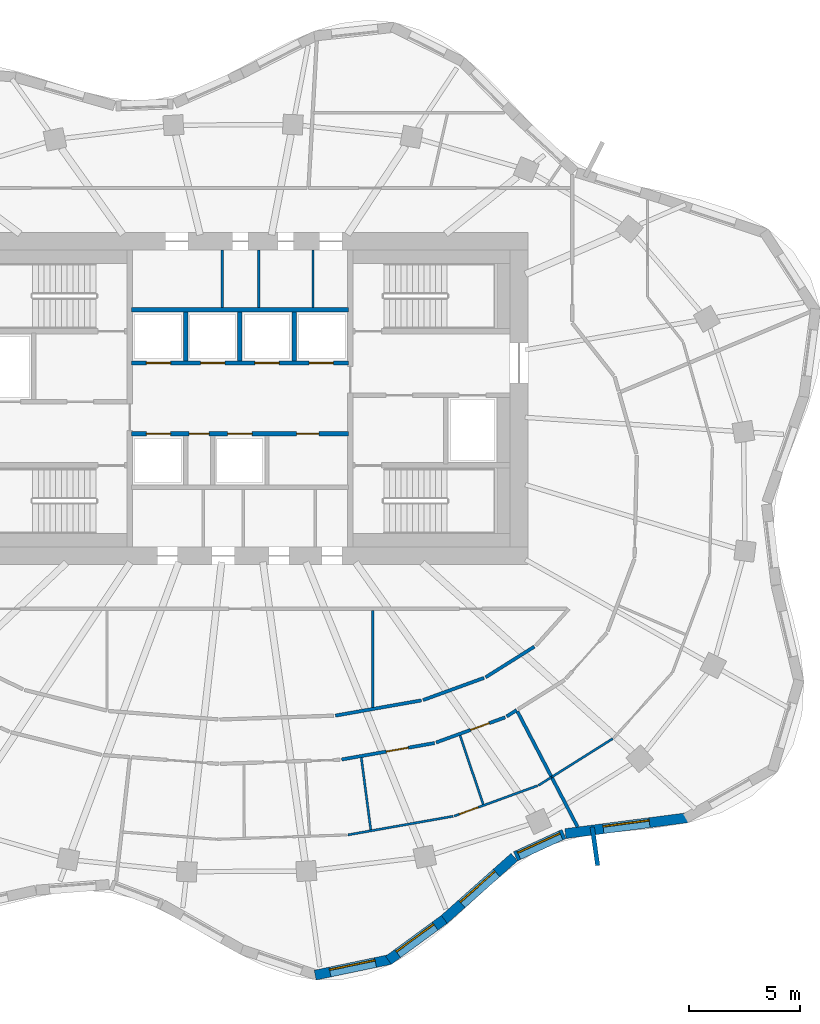
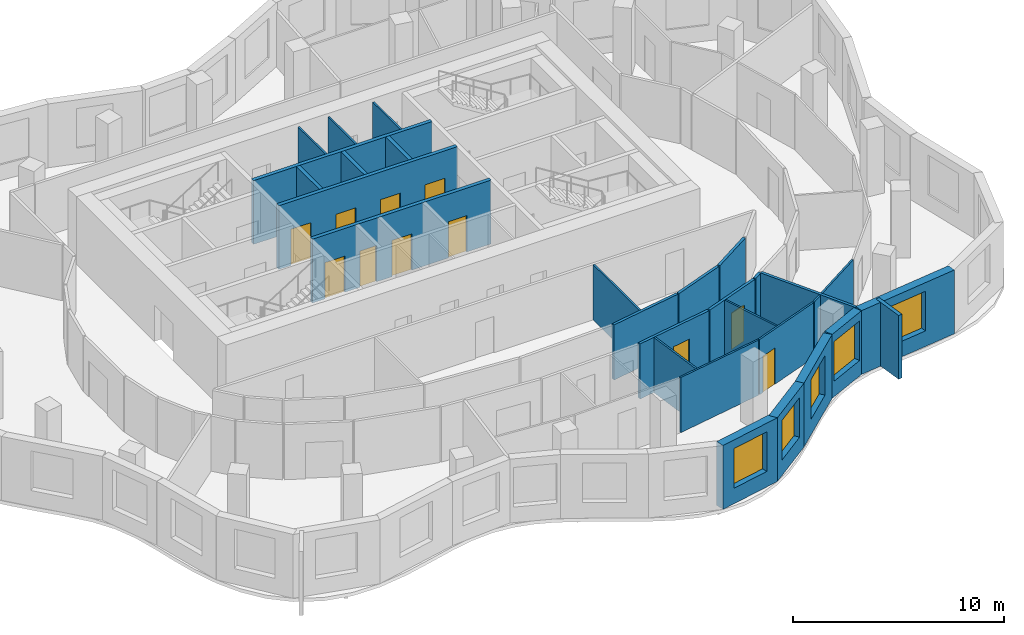
# One storey, part 5 of 9: 29 walls, 11 doors, 5 windows, 16 openings.
"""IFC4 building model written with IfcOpenShell, lengths in metres."""

from ifc_helpers import new_model, si_unit, direction, frame, frame_2d, origin, place, context, subcontext, project, spatial, rectangle, extrude, material, layer, layer_set, type_object, element, fill, save


model = new_model("IFC4")

# Units and contexts
model_context = context("Model", 3, precision=1e-05, world=origin(), true_north=direction((0.0, 1.0)))
body_context = subcontext(model_context, "Body", "Model", "MODEL_VIEW")
ifc_project = project(units=[si_unit("LENGTHUNIT", "METRE"), si_unit("AREAUNIT", "SQUARE_METRE"), si_unit("VOLUMEUNIT", "CUBIC_METRE"), si_unit("PLANEANGLEUNIT", "RADIAN"), si_unit("MASSUNIT", "GRAM", prefix="KILO")], contexts=[model_context])

# Site, building, storey
site_placement = place(None, origin())
site = spatial("IfcSite", under=ifc_project, at=site_placement, CompositionType="ELEMENT")
building_placement = place(site_placement, origin())
building = spatial("IfcBuilding", under=site, at=building_placement, Name="Rubra Terraces Tower", CompositionType="ELEMENT")
storey_placement = place(building_placement, frame((0.0, 0.0, 288.300048828125)))
storey = spatial("IfcBuildingStorey", under=building, at=storey_placement, Name="L71", CompositionType="ELEMENT", Elevation=288.300048828125)

# Wall, opening, window
ifc_material_1 = material(Name="Brick masonry red-brown", Category="masonry")
ifc_layer_1 = layer(ifc_material_1, 0.449951171875)
ifc_layer_set_1 = layer_set([ifc_layer_1], Name="Brick masonry red-brown")
wall_type_1 = type_object("IfcWallType", Name="Brick facade wall 450", PredefinedType="SOLIDWALL", material=ifc_layer_set_1)
wall_1_placement = place(storey_placement, frame((3.39892578125, -21.53173828125, 0.0), z_axis=(0.0, 0.0, 1.0), x_axis=(0.978915912181, 0.204263645512, 0.0)))
wall_1 = element("IfcWall", 1, at=wall_1_placement, inside=storey, type_object=wall_type_1, Name="Facade wall L71 bay 32", PredefinedType="SOLIDWALL", context=body_context, shape_type="SweptSolid", body=[
    extrude(rectangle(XDim=3.466064453125, YDim=0.449951171875, at=frame_2d((1.73291015625, 0.0))), origin(), (0.0, 0.0, 1.0), 3.699951171875),
])
opening_1_placement = place(wall_1_placement, frame((0.68310546875, 0.0, 0.89990234375)))
opening_1 = element("IfcOpeningElement", 2, at=opening_1_placement, cuts=wall_1, Name="Opening W1B", PredefinedType="OPENING", context=body_context, shape_type="SweptSolid", body=[
    extrude(rectangle(XDim=2.10009765625, YDim=2.300048828125, at=frame_2d((1.050048828125, 1.14990234375))), frame((0.0, 0.23486328125, 0.0), z_axis=(0.0, -1.0, 0.0), x_axis=(1.0, 0.0, 0.0)), (0.0, 0.0, 1.0), 0.469970703125),
])
ifc_material_2 = material(Name="Clear glass in aluminium frame", Category="aluminium")
window_type = type_object("IfcWindowType", Name="Fixed deep-set window tall storey 2100 x 2300", PartitioningType="SINGLE_PANEL", PredefinedType="WINDOW", material=ifc_material_2)
window_1_placement = place(opening_1_placement, origin())
window_1 = element("IfcWindow", 3, at=window_1_placement, inside=storey, type_object=window_type, Name="Window L71 bay 32", OverallHeight=2.300048828125, OverallWidth=2.10009765625, PartitioningType="SINGLE_PANEL", PredefinedType="WINDOW", context=body_context, shape_type="SweptSolid", body=[
    extrude(rectangle(XDim=2.10009765625, YDim=2.300048828125, at=frame_2d((1.050048828125, 1.14990234375))), frame((0.0, 0.135009765625, 0.0), z_axis=(0.0, -1.0, 0.0), x_axis=(1.0, 0.0, 0.0)), (0.0, 0.0, 1.0), 0.06005859375),
])
fill(opening_1, window_1)

wall_2_placement = place(storey_placement, frame((6.705078125, -20.8623046875, 0.0), z_axis=(0.0, 0.0, 1.0), x_axis=(0.806921336267, 0.590658917716, 0.0)))
wall_2 = element("IfcWall", 4, at=wall_2_placement, inside=storey, type_object=wall_type_1, Name="Facade wall L71 bay 33", PredefinedType="SOLIDWALL", context=body_context, shape_type="SweptSolid", body=[
    extrude(rectangle(XDim=3.124755859375, YDim=0.449951171875, at=frame_2d((1.5625, 0.0))), origin(), (0.0, 0.0, 1.0), 3.699951171875),
])
opening_2_placement = place(wall_2_placement, frame((0.512451171875, 0.0, 0.89990234375)))
opening_2 = element("IfcOpeningElement", 5, at=opening_2_placement, cuts=wall_2, Name="Opening W1B", PredefinedType="OPENING", context=body_context, shape_type="SweptSolid", body=[
    extrude(rectangle(XDim=2.10009765625, YDim=2.300048828125, at=frame_2d((1.050048828125, 1.14990234375))), frame((0.0, 0.23486328125, 0.0), z_axis=(0.0, -1.0, 0.0), x_axis=(1.0, 0.0, 0.0)), (0.0, 0.0, 1.0), 0.469970703125),
])
window_2_placement = place(opening_2_placement, origin())
window_2 = element("IfcWindow", 6, at=window_2_placement, inside=storey, type_object=window_type, Name="Window L71 bay 33", OverallHeight=2.300048828125, OverallWidth=2.10009765625, PartitioningType="SINGLE_PANEL", PredefinedType="WINDOW", context=body_context, shape_type="SweptSolid", body=[
    extrude(rectangle(XDim=2.10009765625, YDim=2.300048828125, at=frame_2d((1.050048828125, 1.14990234375))), frame((0.0, 0.135009765625, 0.0), z_axis=(0.0, -1.0, 0.0), x_axis=(1.0, 0.0, 0.0)), (0.0, 0.0, 1.0), 0.06005859375),
])
fill(opening_2, window_2)

wall_3_placement = place(storey_placement, frame((9.2099609375, -19.030029296875, 0.0), z_axis=(0.0, 0.0, 1.0), x_axis=(0.747396648191, 0.664378092861, 0.0)))
wall_3 = element("IfcWall", 7, at=wall_3_placement, inside=storey, type_object=wall_type_1, Name="Facade wall L71 bay 34", PredefinedType="SOLIDWALL", context=body_context, shape_type="SweptSolid", body=[
    extrude(rectangle(XDim=4.25244140625, YDim=0.449951171875, at=frame_2d((2.126220703125, 0.0))), origin(), (0.0, 0.0, 1.0), 3.699951171875),
])
opening_3_placement = place(wall_3_placement, frame((1.076171875, 0.0, 0.89990234375)))
opening_3 = element("IfcOpeningElement", 8, at=opening_3_placement, cuts=wall_3, Name="Opening W1B", PredefinedType="OPENING", context=body_context, shape_type="SweptSolid", body=[
    extrude(rectangle(XDim=2.10009765625, YDim=2.300048828125, at=frame_2d((1.050048828125, 1.14990234375))), frame((0.0, 0.23486328125, 0.0), z_axis=(0.0, -1.0, 0.0), x_axis=(1.0, 0.0, 0.0)), (0.0, 0.0, 1.0), 0.469970703125),
])
window_3_placement = place(opening_3_placement, origin())
window_3 = element("IfcWindow", 9, at=window_3_placement, inside=storey, type_object=window_type, Name="Window L71 bay 34", OverallHeight=2.300048828125, OverallWidth=2.10009765625, PartitioningType="SINGLE_PANEL", PredefinedType="WINDOW", context=body_context, shape_type="SweptSolid", body=[
    extrude(rectangle(XDim=2.10009765625, YDim=2.300048828125, at=frame_2d((1.050048828125, 1.14990234375))), frame((0.0, 0.135009765625, 0.0), z_axis=(0.0, -1.0, 0.0), x_axis=(1.0, 0.0, 0.0)), (0.0, 0.0, 1.0), 0.06005859375),
])
fill(opening_3, window_3)

wall_4_placement = place(storey_placement, frame((12.443603515625, -16.168701171875, 0.0), z_axis=(0.0, 0.0, 1.0), x_axis=(0.908468904074, 0.417952449844, 0.0)))
wall_4 = element("IfcWall", 10, at=wall_4_placement, inside=storey, type_object=wall_type_1, Name="Facade wall L71 bay 35", PredefinedType="SOLIDWALL", context=body_context, shape_type="SweptSolid", body=[
    extrude(rectangle(XDim=2.408935546875, YDim=0.449951171875, at=frame_2d((1.20458984375, 0.0))), origin(), (0.0, 0.0, 1.0), 3.699951171875),
])
opening_4_placement = place(wall_4_placement, frame((0.154541015625, 0.0, 0.89990234375)))
opening_4 = element("IfcOpeningElement", 11, at=opening_4_placement, cuts=wall_4, Name="Opening W1B", PredefinedType="OPENING", context=body_context, shape_type="SweptSolid", body=[
    extrude(rectangle(XDim=2.10009765625, YDim=2.300048828125, at=frame_2d((1.050048828125, 1.14990234375))), frame((0.0, 0.23486328125, 0.0), z_axis=(0.0, -1.0, 0.0), x_axis=(1.0, 0.0, 0.0)), (0.0, 0.0, 1.0), 0.469970703125),
])
window_4_placement = place(opening_4_placement, origin())
window_4 = element("IfcWindow", 12, at=window_4_placement, inside=storey, type_object=window_type, Name="Window L71 bay 35", OverallHeight=2.300048828125, OverallWidth=2.10009765625, PartitioningType="SINGLE_PANEL", PredefinedType="WINDOW", context=body_context, shape_type="SweptSolid", body=[
    extrude(rectangle(XDim=2.10009765625, YDim=2.300048828125, at=frame_2d((1.050048828125, 1.14990234375))), frame((0.0, 0.135009765625, 0.0), z_axis=(0.0, -1.0, 0.0), x_axis=(1.0, 0.0, 0.0)), (0.0, 0.0, 1.0), 0.06005859375),
])
fill(opening_4, window_4)

wall_5_placement = place(storey_placement, frame((14.697265625, -15.143310546875, 0.0), z_axis=(0.0, 0.0, 1.0), x_axis=(0.991631798411, 0.129098320597, 0.0)))
wall_5 = element("IfcWall", 13, at=wall_5_placement, inside=storey, type_object=wall_type_1, Name="Facade wall L71 bay 36", PredefinedType="SOLIDWALL", context=body_context, shape_type="SweptSolid", body=[
    extrude(rectangle(XDim=5.546630859375, YDim=0.449951171875, at=frame_2d((2.7734375, 0.0))), origin(), (0.0, 0.0, 1.0), 3.699951171875),
])
opening_5_placement = place(wall_5_placement, frame((1.723388671875, 0.0, 0.89990234375)))
opening_5 = element("IfcOpeningElement", 14, at=opening_5_placement, cuts=wall_5, Name="Opening W1B", PredefinedType="OPENING", context=body_context, shape_type="SweptSolid", body=[
    extrude(rectangle(XDim=2.10009765625, YDim=2.300048828125, at=frame_2d((1.050048828125, 1.14990234375))), frame((0.0, 0.23486328125, 0.0), z_axis=(0.0, -1.0, 0.0), x_axis=(1.0, 0.0, 0.0)), (0.0, 0.0, 1.0), 0.469970703125),
])
window_5_placement = place(opening_5_placement, origin())
window_5 = element("IfcWindow", 15, at=window_5_placement, inside=storey, type_object=window_type, Name="Window L71 bay 36", OverallHeight=2.300048828125, OverallWidth=2.10009765625, PartitioningType="SINGLE_PANEL", PredefinedType="WINDOW", context=body_context, shape_type="SweptSolid", body=[
    extrude(rectangle(XDim=2.10009765625, YDim=2.300048828125, at=frame_2d((1.050048828125, 1.14990234375))), frame((0.0, 0.135009765625, 0.0), z_axis=(0.0, -1.0, 0.0), x_axis=(1.0, 0.0, 0.0)), (0.0, 0.0, 1.0), 0.06005859375),
])
fill(opening_5, window_5)

# Wall
ifc_layer_2 = layer(ifc_material_1, 0.199951171875)
ifc_layer_set_2 = layer_set([ifc_layer_2], Name="Brick masonry red-brown")
wall_type_2 = type_object("IfcWallType", Name="Brick wind fin 200", PredefinedType="SOLIDWALL", material=ifc_layer_set_2)
wall_6_placement = place(storey_placement, frame((15.905029296875, -14.85009765625, 0.0), z_axis=(0.0, 0.0, 1.0), x_axis=(0.140913490987, -0.990021912918, 0.0)))
element("IfcWall", 16, at=wall_6_placement, inside=storey, type_object=wall_type_2, Name="Wind fin L71 18", PredefinedType="SOLIDWALL", context=body_context, shape_type="SweptSolid", body=[
    extrude(rectangle(XDim=1.75, YDim=0.199951171875, at=frame_2d((0.875, 0.0))), origin(), (0.0, 0.0, 1.0), 3.699951171875),
])

# Wall, opening, door
ifc_material_3 = material(Name="Plasterboard on steel stud, mineral wool infill", Category="steel")
ifc_layer_3 = layer(ifc_material_3, 0.14990234375)
ifc_layer_set_3 = layer_set([ifc_layer_3], Name="Plasterboard on steel stud, mineral wool infill")
wall_type_3 = type_object("IfcWallType", Name="CORRIDOR PARTITION 150", PredefinedType="PARTITIONING", material=ifc_layer_set_3)
wall_7_placement = place(storey_placement, frame((4.593505859375, -11.798583984375, 0.0), z_axis=(0.0, 0.0, 1.0), x_axis=(0.984693444773, 0.174295208833, 0.0)))
wall_7 = element("IfcWall", 17, at=wall_7_placement, inside=storey, type_object=wall_type_3, Name="PARTITION", PredefinedType="PARTITIONING", context=body_context, shape_type="SweptSolid", body=[
    extrude(rectangle(XDim=4.260986328125, YDim=0.14990234375, at=frame_2d((2.13037109375, 0.0))), origin(), (0.0, 0.0, 1.0), 3.197998046875),
])
opening_6_placement = place(wall_7_placement, frame((2.050048828125, 0.0, 0.0)))
opening_6 = element("IfcOpeningElement", 18, at=opening_6_placement, cuts=wall_7, Name="Opening 71-117", PredefinedType="OPENING", context=body_context, shape_type="SweptSolid", body=[
    extrude(rectangle(XDim=1.0, YDim=2.10009765625, at=frame_2d((0.5, 1.050048828125))), frame((0.0, 0.0849609375, 0.0), z_axis=(0.0, -1.0, 0.0), x_axis=(1.0, 0.0, 0.0)), (0.0, 0.0, 1.0), 0.169921875),
])
ifc_material_4 = material(Name="Painted timber door leaf", Category="wood")
door_type_1 = type_object("IfcDoorType", Name="ROOM DOOR 1000 X 2100", OperationType="SINGLE_SWING_LEFT", PredefinedType="DOOR", material=ifc_material_4)
door_1_placement = place(opening_6_placement, origin())
door_1 = element("IfcDoor", 19, at=door_1_placement, inside=storey, type_object=door_type_1, Name="DOOR 71-117", OperationType="SINGLE_SWING_RIGHT", OverallHeight=2.10009765625, OverallWidth=1.0, PredefinedType="DOOR", context=body_context, shape_type="SweptSolid", body=[
    extrude(rectangle(XDim=1.0, YDim=2.10009765625, at=frame_2d((0.5, 1.050048828125))), frame((0.0, 0.02490234375, 0.0), z_axis=(0.0, -1.0, 0.0), x_axis=(1.0, 0.0, 0.0)), (0.0, 0.0, 1.0), 0.050048828125),
])
fill(opening_6, door_1)

wall_8_placement = place(storey_placement, frame((8.85986328125, -11.030029296875, 0.0), z_axis=(0.0, 0.0, 1.0), x_axis=(0.939685902536, 0.342038601001, 0.0)))
wall_8 = element("IfcWall", 20, at=wall_8_placement, inside=storey, type_object=wall_type_3, Name="PARTITION", PredefinedType="PARTITIONING", context=body_context, shape_type="SweptSolid", body=[
    extrude(rectangle(XDim=3.316162109375, YDim=0.14990234375, at=frame_2d((1.658203125, 0.0))), origin(), (0.0, 0.0, 1.0), 3.197998046875),
])
opening_7_placement = place(wall_8_placement, frame((1.64990234375, 0.0, 0.0)))
opening_7 = element("IfcOpeningElement", 21, at=opening_7_placement, cuts=wall_8, Name="Opening 71-118", PredefinedType="OPENING", context=body_context, shape_type="SweptSolid", body=[
    extrude(rectangle(XDim=0.89990234375, YDim=2.10009765625, at=frame_2d((0.449951171875, 1.050048828125))), frame((0.0, 0.0849609375, 0.0), z_axis=(0.0, -1.0, 0.0), x_axis=(1.0, 0.0, 0.0)), (0.0, 0.0, 1.0), 0.169921875),
])
door_type_2 = type_object("IfcDoorType", Name="BATHROOM DOOR 900 X 2100", OperationType="SINGLE_SWING_LEFT", PredefinedType="DOOR", material=ifc_material_4)
door_2_placement = place(opening_7_placement, origin())
door_2 = element("IfcDoor", 22, at=door_2_placement, inside=storey, type_object=door_type_2, Name="DOOR 71-118", OperationType="SINGLE_SWING_RIGHT", OverallHeight=2.10009765625, OverallWidth=0.89990234375, PredefinedType="DOOR", context=body_context, shape_type="SweptSolid", body=[
    extrude(rectangle(XDim=0.89990234375, YDim=2.10009765625, at=frame_2d((0.449951171875, 1.050048828125))), frame((0.0, 0.02490234375, 0.0), z_axis=(0.0, -1.0, 0.0), x_axis=(1.0, 0.0, 0.0)), (0.0, 0.0, 1.0), 0.050048828125),
])
fill(opening_7, door_2)

# Walls
wall_9_placement = place(storey_placement, frame((12.03955078125, -9.85595703125, 0.0), z_axis=(0.0, 0.0, 1.0), x_axis=(0.846240393033, 0.532801273647, 0.0)))
element("IfcWall", 23, at=wall_9_placement, inside=storey, type_object=wall_type_3, Name="PARTITION", PredefinedType="PARTITIONING", context=body_context, shape_type="SweptSolid", body=[
    extrude(rectangle(XDim=0.539794921875, YDim=0.14990234375, at=frame_2d((0.27001953125, 0.0))), origin(), (0.0, 0.0, 1.0), 3.197998046875),
])
wall_10_placement = place(storey_placement, frame((13.29345703125, -6.703857421875, 0.0), z_axis=(0.0, 0.0, 1.0), x_axis=(-0.84641299998, -0.532527026041, 0.0)))
element("IfcWall", 24, at=wall_10_placement, inside=storey, type_object=wall_type_3, Name="PARTITION", PredefinedType="PARTITIONING", context=body_context, shape_type="SweptSolid", body=[
    extrude(rectangle(XDim=2.601806640625, YDim=0.14990234375, at=frame_2d((1.30078125, 0.0))), origin(), (0.0, 0.0, 1.0), 3.197998046875),
])
wall_11_placement = place(storey_placement, frame((11.02099609375, -8.114990234375, 0.0), z_axis=(0.0, 0.0, 1.0), x_axis=(-0.939683845313, -0.342044252778, 0.0)))
element("IfcWall", 25, at=wall_11_placement, inside=storey, type_object=wall_type_3, Name="PARTITION", PredefinedType="PARTITIONING", context=body_context, shape_type="SweptSolid", body=[
    extrude(rectangle(XDim=2.9287109375, YDim=0.14990234375, at=frame_2d((1.46435546875, 0.0))), origin(), (0.0, 0.0, 1.0), 3.197998046875),
])
wall_12_placement = place(storey_placement, frame((8.1953125, -9.1298828125, 0.0), z_axis=(0.0, 0.0, 1.0), x_axis=(-0.9846880937, -0.174325437403, 0.0)))
element("IfcWall", 26, at=wall_12_placement, inside=storey, type_object=wall_type_3, Name="PARTITION", PredefinedType="PARTITIONING", context=body_context, shape_type="SweptSolid", body=[
    extrude(rectangle(XDim=3.945068359375, YDim=0.14990234375, at=frame_2d((1.97265625, 0.0))), origin(), (0.0, 0.0, 1.0), 3.197998046875),
])

# Wall, openings, doors
ifc_material_5 = material(Name="Concrete C30", Category="concrete")
ifc_layer_4 = layer(ifc_material_5, 0.199951171875)
ifc_layer_set_4 = layer_set([ifc_layer_4], Name="Concrete C30")
wall_type_4 = type_object("IfcWallType", Name="Core wall 200 concrete", PredefinedType="SOLIDWALL", material=ifc_layer_set_4)
wall_13_placement = place(storey_placement, frame((-4.89990234375, 2.89990234375, 0.0), z_axis=(0.0, 0.0, 1.0), x_axis=(1.0, 0.0, 0.0)))
wall_13 = element("IfcWall", 27, at=wall_13_placement, inside=storey, type_object=wall_type_4, Name="LIFT SHAFT WALL L71", PredefinedType="SOLIDWALL", context=body_context, shape_type="SweptSolid", body=[
    extrude(rectangle(XDim=9.7998046875, YDim=0.199951171875, at=frame_2d((4.89990234375, 0.0))), origin(), (0.0, 0.0, 1.0), 3.699951171875),
])
opening_8_placement = place(wall_13_placement, frame((0.675048828125, 0.0, 0.0)))
opening_8 = element("IfcOpeningElement", 28, at=opening_8_placement, cuts=wall_13, Name="Opening L71.C13", PredefinedType="OPENING", context=body_context, shape_type="SweptSolid", body=[
    extrude(rectangle(XDim=1.10009765625, YDim=2.10009765625, at=frame_2d((0.550048828125, 1.050048828125))), frame((0.0, 0.10986328125, 0.0), z_axis=(0.0, -1.0, 0.0), x_axis=(1.0, 0.0, 0.0)), (0.0, 0.0, 1.0), 0.219970703125),
])
opening_9_placement = place(wall_13_placement, frame((2.613037109375, 0.0, 0.0)))
opening_9 = element("IfcOpeningElement", 29, at=opening_9_placement, cuts=wall_13, Name="Opening L71.C14", PredefinedType="OPENING", context=body_context, shape_type="SweptSolid", body=[
    extrude(rectangle(XDim=0.89990234375, YDim=2.10009765625, at=frame_2d((0.449951171875, 1.050048828125))), frame((0.0, 0.10986328125, 0.0), z_axis=(0.0, -1.0, 0.0), x_axis=(1.0, 0.0, 0.0)), (0.0, 0.0, 1.0), 0.219970703125),
])
opening_10_placement = place(wall_13_placement, frame((4.35009765625, 0.0, 0.0)))
opening_10 = element("IfcOpeningElement", 30, at=opening_10_placement, cuts=wall_13, Name="Opening L71.C15", PredefinedType="OPENING", context=body_context, shape_type="SweptSolid", body=[
    extrude(rectangle(XDim=1.10009765625, YDim=2.10009765625, at=frame_2d((0.550048828125, 1.050048828125))), frame((0.0, 0.10986328125, 0.0), z_axis=(0.0, -1.0, 0.0), x_axis=(1.0, 0.0, 0.0)), (0.0, 0.0, 1.0), 0.219970703125),
])
opening_11_placement = place(wall_13_placement, frame((7.462890625, 0.0, 0.0)))
opening_11 = element("IfcOpeningElement", 31, at=opening_11_placement, cuts=wall_13, Name="Opening L71.C16", PredefinedType="OPENING", context=body_context, shape_type="SweptSolid", body=[
    extrude(rectangle(XDim=1.0, YDim=2.10009765625, at=frame_2d((0.5, 1.050048828125))), frame((0.0, 0.10986328125, 0.0), z_axis=(0.0, -1.0, 0.0), x_axis=(1.0, 0.0, 0.0)), (0.0, 0.0, 1.0), 0.219970703125),
])
ifc_material_6 = material(Name="Painted steel", Category="steel")
door_type_3 = type_object("IfcDoorType", Name="Fire door 1000x2100 single", OperationType="NOTDEFINED", PredefinedType="DOOR", material=ifc_material_6)
door_3_placement = place(opening_11_placement, origin())
door_3 = element("IfcDoor", 32, at=door_3_placement, inside=storey, type_object=door_type_3, Name="Security and building control room door", OperationType="SINGLE_SWING_RIGHT", OverallHeight=2.10009765625, OverallWidth=1.0, PredefinedType="DOOR", context=body_context, shape_type="SweptSolid", body=[
    extrude(rectangle(XDim=1.0, YDim=2.10009765625, at=frame_2d((0.5, 1.050048828125))), frame((0.0, 0.02490234375, 0.0), z_axis=(0.0, -1.0, 0.0), x_axis=(1.0, 0.0, 0.0)), (0.0, 0.0, 1.0), 0.050048828125),
])
fill(opening_11, door_3)
door_type_4 = type_object("IfcDoorType", Name="Fire door 900x2100 single", OperationType="NOTDEFINED", PredefinedType="DOOR", material=ifc_material_6)
door_4_placement = place(opening_9_placement, origin())
door_4 = element("IfcDoor", 33, at=door_4_placement, inside=storey, type_object=door_type_4, Name="Cleaner's store door", OperationType="SINGLE_SWING_RIGHT", OverallHeight=2.10009765625, OverallWidth=0.89990234375, PredefinedType="DOOR", context=body_context, shape_type="SweptSolid", body=[
    extrude(rectangle(XDim=0.89990234375, YDim=2.10009765625, at=frame_2d((0.449951171875, 1.050048828125))), frame((0.0, 0.02490234375, 0.0), z_axis=(0.0, -1.0, 0.0), x_axis=(1.0, 0.0, 0.0)), (0.0, 0.0, 1.0), 0.050048828125),
])
fill(opening_9, door_4)
ifc_material_7 = material(Name="Stainless steel", Category="steel")
door_type_5 = type_object("IfcDoorType", Name="Lift landing door 1100x2100", OperationType="NOTDEFINED", PredefinedType="DOOR", material=ifc_material_7)
door_5_placement = place(opening_8_placement, origin())
door_5 = element("IfcDoor", 34, at=door_5_placement, inside=storey, type_object=door_type_5, Name="Landing door HB1", OperationType="SLIDING_TO_RIGHT", OverallHeight=2.10009765625, OverallWidth=1.10009765625, PredefinedType="DOOR", context=body_context, shape_type="SweptSolid", body=[
    extrude(rectangle(XDim=1.10009765625, YDim=2.10009765625, at=frame_2d((0.550048828125, 1.050048828125))), frame((0.0, 0.02490234375, 0.0), z_axis=(0.0, -1.0, 0.0), x_axis=(1.0, 0.0, 0.0)), (0.0, 0.0, 1.0), 0.050048828125),
])
fill(opening_8, door_5)
door_6_placement = place(opening_10_placement, origin())
door_6 = element("IfcDoor", 35, at=door_6_placement, inside=storey, type_object=door_type_5, Name="Landing door HB2", OperationType="SLIDING_TO_LEFT", OverallHeight=2.10009765625, OverallWidth=1.10009765625, PredefinedType="DOOR", context=body_context, shape_type="SweptSolid", body=[
    extrude(rectangle(XDim=1.10009765625, YDim=2.10009765625, at=frame_2d((0.550048828125, 1.050048828125))), frame((0.0, 0.02490234375, 0.0), z_axis=(0.0, -1.0, 0.0), x_axis=(1.0, 0.0, 0.0)), (0.0, 0.0, 1.0), 0.050048828125),
])
fill(opening_10, door_6)

wall_14_placement = place(storey_placement, frame((-4.89990234375, 6.10009765625, 0.0), z_axis=(0.0, 0.0, 1.0), x_axis=(1.0, 0.0, 0.0)))
wall_14 = element("IfcWall", 36, at=wall_14_placement, inside=storey, type_object=wall_type_4, Name="LIFT SHAFT WALL L71", PredefinedType="SOLIDWALL", context=body_context, shape_type="SweptSolid", body=[
    extrude(rectangle(XDim=9.7998046875, YDim=0.199951171875, at=frame_2d((4.89990234375, 0.0))), origin(), (0.0, 0.0, 1.0), 3.699951171875),
])
opening_12_placement = place(wall_14_placement, frame((0.675048828125, 0.0, 0.0)))
opening_12 = element("IfcOpeningElement", 37, at=opening_12_placement, cuts=wall_14, Name="Opening L71.C17", PredefinedType="OPENING", context=body_context, shape_type="SweptSolid", body=[
    extrude(rectangle(XDim=1.10009765625, YDim=2.10009765625, at=frame_2d((0.550048828125, 1.050048828125))), frame((0.0, 0.10986328125, 0.0), z_axis=(0.0, -1.0, 0.0), x_axis=(1.0, 0.0, 0.0)), (0.0, 0.0, 1.0), 0.219970703125),
])
opening_13_placement = place(wall_14_placement, frame((3.125, 0.0, 0.0)))
opening_13 = element("IfcOpeningElement", 38, at=opening_13_placement, cuts=wall_14, Name="Opening L71.C18", PredefinedType="OPENING", context=body_context, shape_type="SweptSolid", body=[
    extrude(rectangle(XDim=1.10009765625, YDim=2.10009765625, at=frame_2d((0.550048828125, 1.050048828125))), frame((0.0, 0.10986328125, 0.0), z_axis=(0.0, -1.0, 0.0), x_axis=(1.0, 0.0, 0.0)), (0.0, 0.0, 1.0), 0.219970703125),
])
opening_14_placement = place(wall_14_placement, frame((5.574951171875, 0.0, 0.0)))
opening_14 = element("IfcOpeningElement", 39, at=opening_14_placement, cuts=wall_14, Name="Opening L71.C19", PredefinedType="OPENING", context=body_context, shape_type="SweptSolid", body=[
    extrude(rectangle(XDim=1.10009765625, YDim=2.10009765625, at=frame_2d((0.550048828125, 1.050048828125))), frame((0.0, 0.10986328125, 0.0), z_axis=(0.0, -1.0, 0.0), x_axis=(1.0, 0.0, 0.0)), (0.0, 0.0, 1.0), 0.219970703125),
])
opening_15_placement = place(wall_14_placement, frame((8.02490234375, 0.0, 0.0)))
opening_15 = element("IfcOpeningElement", 40, at=opening_15_placement, cuts=wall_14, Name="Opening L71.C20", PredefinedType="OPENING", context=body_context, shape_type="SweptSolid", body=[
    extrude(rectangle(XDim=1.10009765625, YDim=2.10009765625, at=frame_2d((0.550048828125, 1.050048828125))), frame((0.0, 0.10986328125, 0.0), z_axis=(0.0, -1.0, 0.0), x_axis=(1.0, 0.0, 0.0)), (0.0, 0.0, 1.0), 0.219970703125),
])
door_7_placement = place(opening_12_placement, origin())
door_7 = element("IfcDoor", 41, at=door_7_placement, inside=storey, type_object=door_type_5, Name="Landing door HB3", OperationType="SLIDING_TO_RIGHT", OverallHeight=2.10009765625, OverallWidth=1.10009765625, PredefinedType="DOOR", context=body_context, shape_type="SweptSolid", body=[
    extrude(rectangle(XDim=1.10009765625, YDim=2.10009765625, at=frame_2d((0.550048828125, 1.050048828125))), frame((0.0, 0.02490234375, 0.0), z_axis=(0.0, -1.0, 0.0), x_axis=(1.0, 0.0, 0.0)), (0.0, 0.0, 1.0), 0.050048828125),
])
fill(opening_12, door_7)
door_8_placement = place(opening_13_placement, origin())
door_8 = element("IfcDoor", 42, at=door_8_placement, inside=storey, type_object=door_type_5, Name="Landing door HB4", OperationType="SLIDING_TO_LEFT", OverallHeight=2.10009765625, OverallWidth=1.10009765625, PredefinedType="DOOR", context=body_context, shape_type="SweptSolid", body=[
    extrude(rectangle(XDim=1.10009765625, YDim=2.10009765625, at=frame_2d((0.550048828125, 1.050048828125))), frame((0.0, 0.02490234375, 0.0), z_axis=(0.0, -1.0, 0.0), x_axis=(1.0, 0.0, 0.0)), (0.0, 0.0, 1.0), 0.050048828125),
])
fill(opening_13, door_8)
door_9_placement = place(opening_14_placement, origin())
door_9 = element("IfcDoor", 43, at=door_9_placement, inside=storey, type_object=door_type_5, Name="Landing door HB5", OperationType="SLIDING_TO_RIGHT", OverallHeight=2.10009765625, OverallWidth=1.10009765625, PredefinedType="DOOR", context=body_context, shape_type="SweptSolid", body=[
    extrude(rectangle(XDim=1.10009765625, YDim=2.10009765625, at=frame_2d((0.550048828125, 1.050048828125))), frame((0.0, 0.02490234375, 0.0), z_axis=(0.0, -1.0, 0.0), x_axis=(1.0, 0.0, 0.0)), (0.0, 0.0, 1.0), 0.050048828125),
])
fill(opening_14, door_9)
door_10_placement = place(opening_15_placement, origin())
door_10 = element("IfcDoor", 44, at=door_10_placement, inside=storey, type_object=door_type_5, Name="Landing door HB6", OperationType="SLIDING_TO_LEFT", OverallHeight=2.10009765625, OverallWidth=1.10009765625, PredefinedType="DOOR", context=body_context, shape_type="SweptSolid", body=[
    extrude(rectangle(XDim=1.10009765625, YDim=2.10009765625, at=frame_2d((0.550048828125, 1.050048828125))), frame((0.0, 0.02490234375, 0.0), z_axis=(0.0, -1.0, 0.0), x_axis=(1.0, 0.0, 0.0)), (0.0, 0.0, 1.0), 0.050048828125),
])
fill(opening_15, door_10)

# Walls
wall_15_placement = place(storey_placement, frame((-4.89990234375, 8.5, 0.0), z_axis=(0.0, 0.0, 1.0), x_axis=(1.0, 0.0, 0.0)))
element("IfcWall", 45, at=wall_15_placement, inside=storey, type_object=wall_type_4, Name="LIFT SHAFT WALL L71", PredefinedType="SOLIDWALL", context=body_context, shape_type="SweptSolid", body=[
    extrude(rectangle(XDim=9.7998046875, YDim=0.199951171875, at=frame_2d((4.89990234375, 0.0))), origin(), (0.0, 0.0, 1.0), 3.699951171875),
])
for number, where, z_axis, x_axis, name in (
    (46, (-2.449951171875, 6.199951171875, 0.0), (0.0, 0.0, 1.0), (0.0, 1.0, 0.0), "LIFT SHAFT WALL L71"),
    (47, (0.0, 6.199951171875, 0.0), (0.0, 0.0, 1.0), (0.0, 1.0, 0.0), "LIFT SHAFT WALL L71"),
    (48, (2.449951171875, 6.199951171875, 0.0), (0.0, 0.0, 1.0), (0.0, 1.0, 0.0), "LIFT SHAFT WALL L71"),
):
    element("IfcWall", number, at=place(storey_placement, frame(where, z_axis=z_axis, x_axis=x_axis)), inside=storey, type_object=wall_type_4, Name=name, PredefinedType="SOLIDWALL", context=body_context, shape_type="SweptSolid", body=[
        extrude(rectangle(XDim=2.199951171875, YDim=0.199951171875, at=frame_2d((1.10009765625, 0.0))), origin(), (0.0, 0.0, 1.0), 3.699951171875),
    ])
ifc_material_8 = material(Name="Plasterboard on steel stud", Category="steel")
ifc_layer_5 = layer(ifc_material_8, 0.10009765625)
ifc_layer_set_5 = layer_set([ifc_layer_5], Name="Plasterboard on steel stud")
wall_type_5 = type_object("IfcWallType", Name="ROOM PARTITION 100", PredefinedType="PARTITIONING", material=ifc_layer_set_5)
wall_16_placement = place(storey_placement, frame((14.055908203125, -12.604248046875, 0.0), z_axis=(0.0, 0.0, 1.0), x_axis=(-0.846544184051, -0.532318461496, 0.0)))
element("IfcWall", 49, at=wall_16_placement, inside=storey, type_object=wall_type_5, Name="PARTITION", PredefinedType="PARTITIONING", context=body_context, shape_type="SweptSolid", body=[
    extrude(rectangle(XDim=0.6806640625, YDim=0.10009765625, at=frame_2d((0.34033203125, 0.0))), origin(), (0.0, 0.0, 1.0), 3.197998046875),
])

# Wall, opening, door
wall_17_placement = place(storey_placement, frame((13.432861328125, -12.983642578125, 0.0), z_axis=(0.0, 0.0, 1.0), x_axis=(-0.939673979614, -0.342071355182, 0.0)))
wall_17 = element("IfcWall", 50, at=wall_17_placement, inside=storey, type_object=wall_type_5, Name="PARTITION", PredefinedType="PARTITIONING", context=body_context, shape_type="SweptSolid", body=[
    extrude(rectangle(XDim=4.000244140625, YDim=0.10009765625, at=frame_2d((2.0, 0.0))), origin(), (0.0, 0.0, 1.0), 3.197998046875),
])
opening_16_placement = place(wall_17_placement, frame((2.85009765625, 0.0, 0.0)))
opening_16 = element("IfcOpeningElement", 51, at=opening_16_placement, cuts=wall_17, Name="Opening 71-106", PredefinedType="OPENING", context=body_context, shape_type="SweptSolid", body=[
    extrude(rectangle(XDim=0.89990234375, YDim=2.10009765625, at=frame_2d((0.449951171875, 1.050048828125))), frame((0.0, 0.06005859375, 0.0), z_axis=(0.0, -1.0, 0.0), x_axis=(1.0, 0.0, 0.0)), (0.0, 0.0, 1.0), 0.1201171875),
])
door_type_6 = type_object("IfcDoorType", Name="ROOM DOOR 900 X 2100", OperationType="SINGLE_SWING_LEFT", PredefinedType="DOOR", material=ifc_material_4)
door_11_placement = place(opening_16_placement, origin())
door_11 = element("IfcDoor", 52, at=door_11_placement, inside=storey, type_object=door_type_6, Name="DOOR 71-106", OperationType="SINGLE_SWING_RIGHT", OverallHeight=2.10009765625, OverallWidth=0.89990234375, PredefinedType="DOOR", context=body_context, shape_type="SweptSolid", body=[
    extrude(rectangle(XDim=0.89990234375, YDim=2.10009765625, at=frame_2d((0.449951171875, 1.050048828125))), frame((0.0, 0.02490234375, 0.0), z_axis=(0.0, -1.0, 0.0), x_axis=(1.0, 0.0, 0.0)), (0.0, 0.0, 1.0), 0.050048828125),
])
fill(opening_16, door_11)

# Walls
wall_18_placement = place(storey_placement, frame((9.624755859375, -14.36083984375, 0.0), z_axis=(0.0, 0.0, 1.0), x_axis=(-0.984691710098, -0.174305008716, 0.0)))
element("IfcWall", 53, at=wall_18_placement, inside=storey, type_object=wall_type_5, Name="PARTITION", PredefinedType="PARTITIONING", context=body_context, shape_type="SweptSolid", body=[
    extrude(rectangle(XDim=4.82373046875, YDim=0.10009765625, at=frame_2d((2.411865234375, 0.0))), origin(), (0.0, 0.0, 1.0), 3.197998046875),
])
wall_19_placement = place(storey_placement, frame((5.481689453125, -11.717529296875, 0.0), z_axis=(0.0, 0.0, 1.0), x_axis=(0.130173255727, -0.991491262439, 0.0)))
element("IfcWall", 54, at=wall_19_placement, inside=storey, type_object=wall_type_5, Name="PARTITION", PredefinedType="PARTITIONING", context=body_context, shape_type="SweptSolid", body=[
    extrude(rectangle(XDim=3.2783203125, YDim=0.10009765625, at=frame_2d((1.63916015625, 0.0))), origin(), (0.0, 0.0, 1.0), 3.197998046875),
])
wall_20_placement = place(storey_placement, frame((9.939697265625, -10.716796875, 0.0), z_axis=(0.0, 0.0, 1.0), x_axis=(0.318730603816, -0.947845347191, 0.0)))
element("IfcWall", 55, at=wall_20_placement, inside=storey, type_object=wall_type_5, Name="PARTITION", PredefinedType="PARTITIONING", context=body_context, shape_type="SweptSolid", body=[
    extrude(rectangle(XDim=3.276123046875, YDim=0.10009765625, at=frame_2d((1.63818359375, 0.0))), origin(), (0.0, 0.0, 1.0), 3.197998046875),
])
wall_21_placement = place(storey_placement, frame((16.831298828125, -10.85791015625, 0.0), z_axis=(0.0, 0.0, 1.0), x_axis=(-0.846427876971, -0.532503379413, 0.0)))
element("IfcWall", 56, at=wall_21_placement, inside=storey, type_object=wall_type_5, Name="PARTITION", PredefinedType="PARTITIONING", context=body_context, shape_type="SweptSolid", body=[
    extrude(rectangle(XDim=3.2392578125, YDim=0.10009765625, at=frame_2d((1.61962890625, 0.0))), origin(), (0.0, 0.0, 1.0), 3.197998046875),
])
wall_22_placement = place(storey_placement, frame((6.0, -9.443603515625, 0.0), z_axis=(0.0, 0.0, 1.0), x_axis=(0.0, 1.0, 0.0)))
element("IfcWall", 57, at=wall_22_placement, inside=storey, type_object=wall_type_5, Name="PARTITION", PredefinedType="PARTITIONING", context=body_context, shape_type="SweptSolid", body=[
    extrude(rectangle(XDim=4.36865234375, YDim=0.10009765625, at=frame_2d((2.184326171875, 0.0))), origin(), (0.0, 0.0, 1.0), 3.197998046875),
])
ifc_layer_6 = layer(ifc_material_8, 0.14990234375)
ifc_layer_set_6 = layer_set([ifc_layer_6], Name="Plasterboard on steel stud")
wall_type_6 = type_object("IfcWallType", Name="ROOM PARTITION 150", PredefinedType="PARTITIONING", material=ifc_layer_set_6)
wall_23_placement = place(storey_placement, frame((15.243896484375, -14.841064453125, 0.0), z_axis=(0.0, 0.0, 1.0), x_axis=(-0.462122511499, 0.886816093881, 0.0)))
element("IfcWall", 58, at=wall_23_placement, inside=storey, type_object=wall_type_6, Name="PARTITION", PredefinedType="PARTITIONING", context=body_context, shape_type="SweptSolid", body=[
    extrude(rectangle(XDim=5.87060546875, YDim=0.14990234375, at=frame_2d((2.935302734375, 0.0))), origin(), (0.0, 0.0, 1.0), 3.23388671875),
])
ifc_material_9 = material(Name="Blockwork", Category="masonry")
ifc_layer_7 = layer(ifc_material_9, 0.10009765625)
ifc_layer_set_7 = layer_set([ifc_layer_7], Name="Blockwork")
wall_type_7 = type_object("IfcWallType", Name="Service partition 100 blockwork", PredefinedType="PARTITIONING", material=ifc_layer_set_7)
for number, where, z_axis, x_axis, name in (
    (59, (-0.800048828125, 8.60009765625, 0.0), (0.0, 0.0, 1.0), (0.0, 1.0, 0.0), "SERVICE ROOM PARTITION L71"),
    (60, (0.85009765625, 8.60009765625, 0.0), (0.0, 0.0, 1.0), (0.0, 1.0, 0.0), "SERVICE ROOM PARTITION L71"),
    (61, (3.300048828125, 8.60009765625, 0.0), (0.0, 0.0, 1.0), (0.0, 1.0, 0.0), "SERVICE ROOM PARTITION L71"),
):
    element("IfcWall", number, at=place(storey_placement, frame(where, z_axis=z_axis, x_axis=x_axis)), inside=storey, type_object=wall_type_7, Name=name, PredefinedType="PARTITIONING", context=body_context, shape_type="SweptSolid", body=[
        extrude(rectangle(XDim=2.599853515625, YDim=0.10009765625, at=frame_2d((1.2998046875, 0.0))), origin(), (0.0, 0.0, 1.0), 3.699951171875),
    ])

save(model, "model.ifc")
